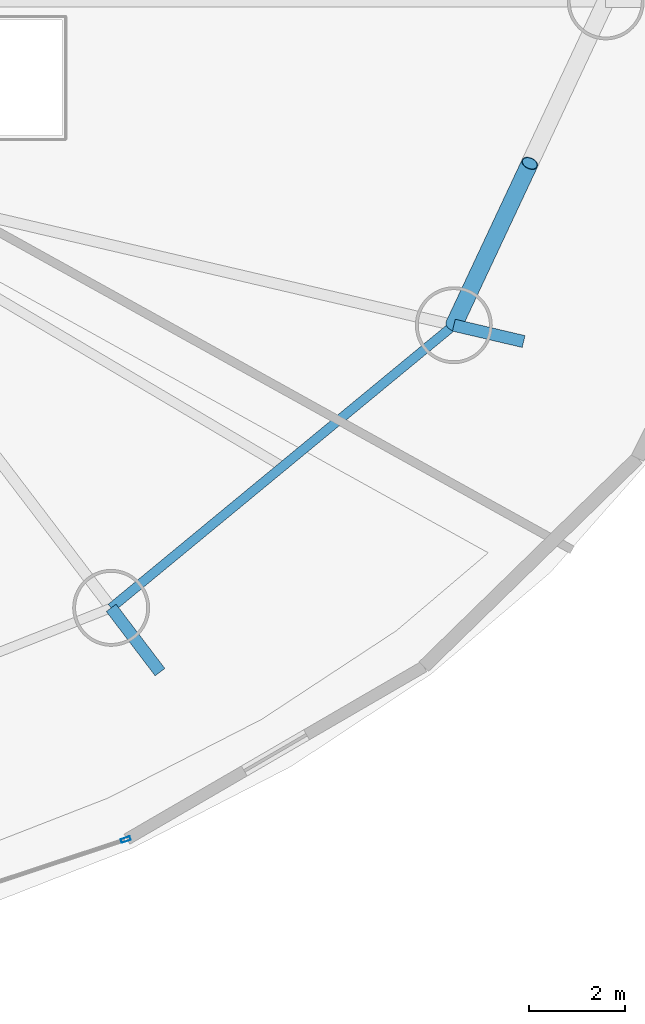
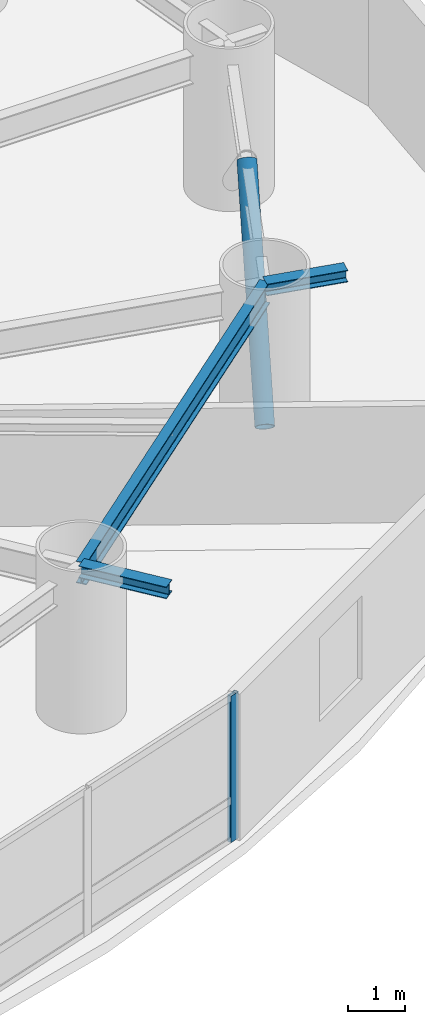
# One storey, part 8 of 25: 3 beams, 2 members, 1 element without a shape of its own.
"""IFC4 building model written with IfcOpenShell, lengths in metres."""

from ifc_helpers import new_model, si_unit, direction, frame, origin, origin_2d, place, context, subcontext, project, spatial, hollow_rectangle, hollow_circle, i_section, extrude, material, layer, layer_set, material_profile, profile_set, type_object, element, aggregate, save


model = new_model("IFC4")

# Units and contexts
model_context = context("Model", 3, precision=1e-05, world=origin(), true_north=direction((0.0, 1.0)))
body_context = subcontext(model_context, "Body", "Model", "MODEL_VIEW")
ifc_project = project(units=[si_unit("LENGTHUNIT", "METRE"), si_unit("AREAUNIT", "SQUARE_METRE"), si_unit("VOLUMEUNIT", "CUBIC_METRE"), si_unit("PLANEANGLEUNIT", "RADIAN"), si_unit("MASSUNIT", "GRAM", prefix="KILO")], contexts=[model_context])

# Site, building, storey
site_placement = place(None, origin())
site = spatial("IfcSite", under=ifc_project, at=site_placement, CompositionType="ELEMENT")
building_placement = place(site_placement, origin())
building = spatial("IfcBuilding", under=site, at=building_placement, Name="Bramvorn Convention Spire", CompositionType="ELEMENT")
storey_placement = place(building_placement, frame((0.0, 0.0, 93.89990234375)))
storey = spatial("IfcBuildingStorey", under=building, at=storey_placement, Name="L22", CompositionType="ELEMENT", Elevation=93.89990234375)

# Beams
ifc_material_1 = material(Name="Steel CSA G40.21 Grade 350 (350W)", Category="steel")
ifc_material_profile_1 = material_profile(ifc_material_1, i_section(OverallWidth=0.25390625, OverallDepth=0.2529296875, WebThickness=0.008544921875, FlangeThickness=0.01416015625, FilletRadius=0.011962890625, at=origin_2d()))
ifc_profile_set_1 = profile_set([ifc_material_profile_1], Name="Steel CSA G40.21 Grade 350 (350W) - W250X73")
beam_type_1 = type_object("IfcBeamType", Name="BM-W250X73", PredefinedType="BEAM", material=ifc_profile_set_1)
beam_1_placement = place(storey_placement, frame((56.227783203125, 9.371337890625, 3.023681640625), z_axis=(0.605127493328, -0.796128580581, 0.0), x_axis=(0.796128580581, 0.605127493328, 0.0)))
element("IfcBeam", 1, at=beam_1_placement, inside=storey, type_object=beam_type_1, Name="L22 slab-edge cantilever tip beam MC15", PredefinedType="BEAM", context=body_context, shape_type="SweptSolid", body=[
    extrude(i_section(OverallWidth=0.25390625, OverallDepth=0.2529296875, WebThickness=0.008544921875, FlangeThickness=0.01416015625, FilletRadius=0.011962890625, at=origin_2d()), origin(), (0.0, 0.0, 1.0), 1.6796875),
])
beam_2_placement = place(storey_placement, frame((63.35888671875, 15.253662109375, 3.023681640625), z_axis=(0.973763868542, -0.227560823348, 0.0), x_axis=(0.227560823348, 0.973763868542, 0.0)))
element("IfcBeam", 2, at=beam_2_placement, inside=storey, type_object=beam_type_1, Name="L22 slab-edge cantilever tip beam MC16", PredefinedType="BEAM", context=body_context, shape_type="SweptSolid", body=[
    extrude(i_section(OverallWidth=0.25390625, OverallDepth=0.2529296875, WebThickness=0.008544921875, FlangeThickness=0.01416015625, FilletRadius=0.011962890625, at=origin_2d()), origin(), (0.0, 0.0, 1.0), 1.4912109375),
])
ifc_material_profile_2 = material_profile(ifc_material_1, i_section(OverallWidth=0.194091796875, OverallDepth=0.468994140625, WebThickness=0.0126953125, FlangeThickness=0.0205078125, FilletRadius=0.01806640625, at=origin_2d()))
ifc_profile_set_2 = profile_set([ifc_material_profile_2], Name="Steel CSA G40.21 Grade 350 (350W) - W460X106")
beam_type_2 = type_object("IfcBeamType", Name="BM-W460X106", PredefinedType="SPANDREL", material=ifc_profile_set_2)
beam_3_placement = place(storey_placement, frame((56.227783203125, 9.371337890625, 2.91552734375), z_axis=(0.771417680101, 0.636329130896, 0.0), x_axis=(-0.636329130896, 0.771417680101, 0.0)))
element("IfcBeam", 3, at=beam_3_placement, inside=storey, type_object=beam_type_2, Name="L22 mega-column ring beam 15", PredefinedType="SPANDREL", context=body_context, shape_type="SweptSolid", body=[
    extrude(i_section(OverallWidth=0.194091796875, OverallDepth=0.468994140625, WebThickness=0.0126953125, FlangeThickness=0.0205078125, FilletRadius=0.01806640625, at=origin_2d()), origin(), (0.0, 0.0, 1.0), 9.244140625),
])

# Curtain wall, member
ifc_material_2 = material(Name="Anodised Bronze Unitised Curtain Wall", Category="aluminium")
ifc_layer = layer(ifc_material_2, 0.179931640625)
ifc_layer_set = layer_set([ifc_layer], Name="Anodised Bronze Unitised Curtain Wall - CW-HTL-FRIT")
curtain_wall_type = type_object("IfcCurtainWallType", Name="CW-HTL-FRIT", PredefinedType="USERDEFINED", material=ifc_layer_set)
curtain_wall_placement = place(storey_placement, origin())
curtain_wall = element("IfcCurtainWall", 4, at=curtain_wall_placement, inside=storey, type_object=curtain_wall_type, Name="L22 fritted glass curtain wall 21", ObjectType="UNITISED CURTAIN WALL", PredefinedType="USERDEFINED")
ifc_material_3 = material(Name="Anodised Bronze Aluminium 6063-T6", Category="aluminium")
ifc_material_profile_3 = material_profile(ifc_material_3, hollow_rectangle(XDim=0.080078125, YDim=0.199951171875, WallThickness=0.00390625, InnerFilletRadius=0.0009765625, OuterFilletRadius=0.00390625, at=origin_2d()))
ifc_profile_set_3 = profile_set([ifc_material_profile_3], Name="Anodised Bronze Aluminium 6063-T6 - CWM80X200")
member_type_1 = type_object("IfcMemberType", Name="CW-MUL-180", PredefinedType="MULLION", material=ifc_profile_set_3)
member_1_placement = place(storey_placement, frame((56.529541015625, 4.549560546875, 0.0), z_axis=(0.0, 0.0, 1.0), x_axis=(0.314269124732, -0.949333933471, 0.0)))
member_1 = element("IfcMember", 5, at=member_1_placement, type_object=member_type_1, Name="CW2 mullion 1", PredefinedType="MULLION", context=body_context, shape_type="SweptSolid", body=[
    extrude(hollow_rectangle(XDim=0.080078125, YDim=0.199951171875, WallThickness=0.00390625, InnerFilletRadius=0.0009765625, OuterFilletRadius=0.00390625, at=origin_2d()), origin(), (0.0, 0.0, 1.0), 3.150146484375),
])
aggregate(curtain_wall, [member_1])

# Member
ifc_material_profile_4 = material_profile(ifc_material_1, hollow_circle(Radius=0.177734375, WallThickness=0.015869140625, at=origin_2d()))
ifc_profile_set_4 = profile_set([ifc_material_profile_4], Name="Steel CSA G40.21 Grade 350 (350W) - CHS356X16")
member_type_2 = type_object("IfcMemberType", Name="MBR-CHS356X16", PredefinedType="BRACE", material=ifc_profile_set_4)
member_2_placement = place(storey_placement, frame((63.35888671875, 15.253662109375, 0.0), z_axis=(0.324125542011, 0.691013823536, 0.646097925007), x_axis=(-0.905351753695, 0.424662456643, 0.0)))
element("IfcMember", 6, at=member_2_placement, inside=storey, type_object=member_type_2, Name="L22 perimeter Gothic lancet brace 16A", PredefinedType="BRACE", context=body_context, shape_type="SweptSolid", body=[
    extrude(hollow_circle(Radius=0.177734375, WallThickness=0.015869140625, at=origin_2d()), origin(), (0.0, 0.0, 1.0), 4.875732421875),
])

save(model, "model.ifc")
